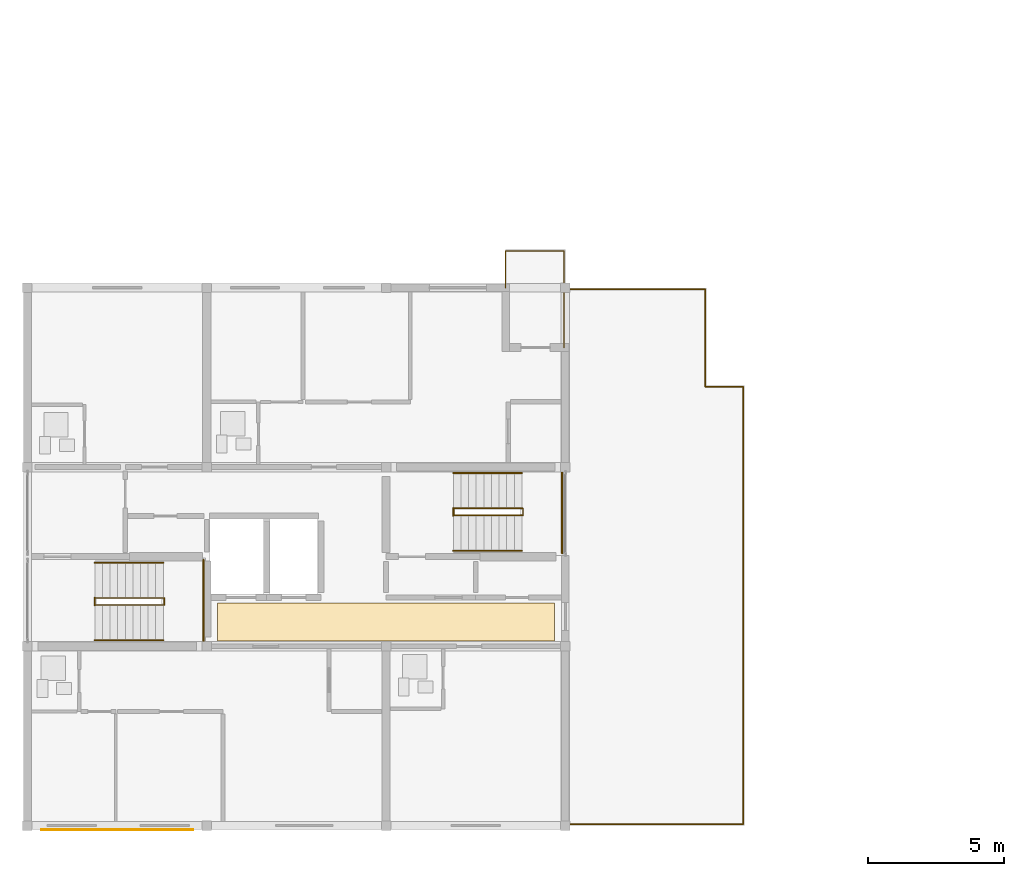
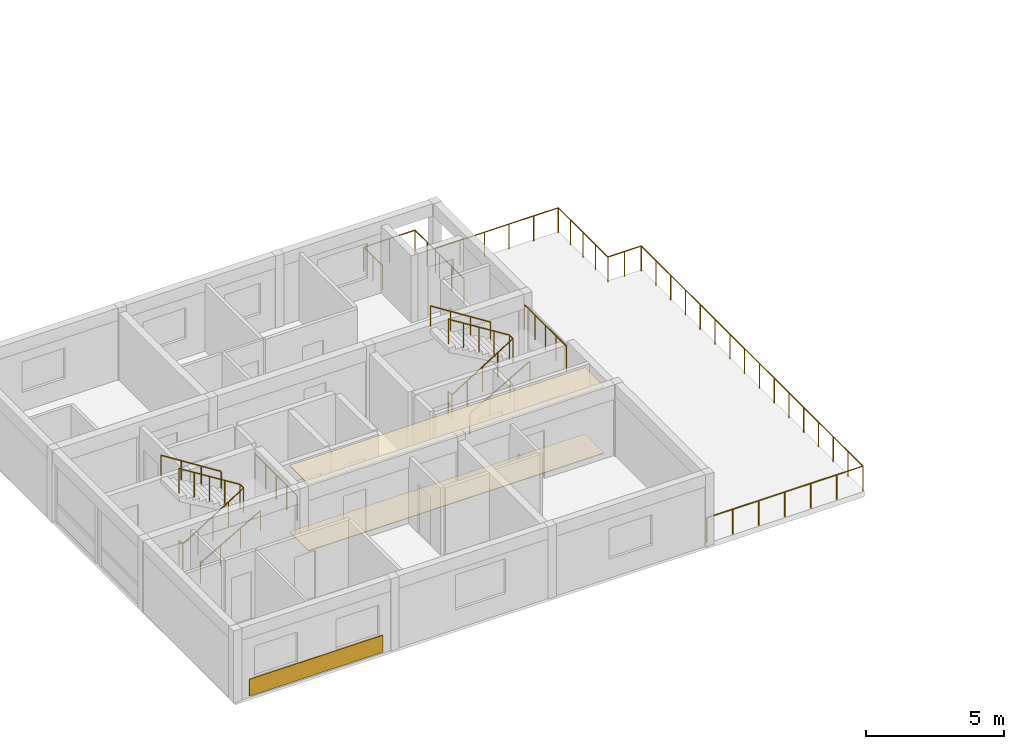
# One storey, part 40 of 46: 12 railings, 3 coverings.
"""IFC4 building model written with IfcOpenShell, lengths in metres."""

from ifc_helpers import new_model, si_unit, direction, frame, origin, origin_2d, place, context, subcontext, project, spatial, polyline, rectangle, circle, outline, extrude, material, layer, layer_set, type_object, element, save


model = new_model("IFC4")

# Units and contexts
model_context = context("Model", 3, precision=1e-05, world=origin(), true_north=direction((0.0, 1.0)))
body_context = subcontext(model_context, "Body", "Model", "MODEL_VIEW")
ifc_project = project(units=[si_unit("LENGTHUNIT", "METRE"), si_unit("AREAUNIT", "SQUARE_METRE"), si_unit("VOLUMEUNIT", "CUBIC_METRE"), si_unit("PLANEANGLEUNIT", "RADIAN"), si_unit("MASSUNIT", "GRAM", prefix="KILO")], contexts=[model_context])

# Site, building, storey
site_placement = place(None, origin())
site = spatial("IfcSite", under=ifc_project, at=site_placement, CompositionType="ELEMENT")
building_placement = place(site_placement, origin())
building = spatial("IfcBuilding", under=site, at=building_placement, Name="Kernevlak Ridge Housing Community", CompositionType="ELEMENT")
storey_placement = place(building_placement, frame((0.0, 0.0, 27.60009765625)))
storey = spatial("IfcBuildingStorey", under=building, at=storey_placement, Name="L08", CompositionType="ELEMENT", Elevation=27.60009765625)

# Railing
ifc_material_1 = material(Name="Steel S355", Category="steel")
railing_type_1 = type_object("IfcRailingType", Name="BL-01", PredefinedType="BALUSTRADE", material=ifc_material_1)
railing_1_placement = place(storey_placement, frame((33.199951171875, 35.39990234375, 0.0)))
element("IfcRailing", 1, at=railing_1_placement, inside=storey, type_object=railing_type_1, Name="Block D L08 balcony balustrade BL-01 54", PredefinedType="BALUSTRADE", context=body_context, shape_type="SweptSolid", body=[
    extrude(circle(Radius=0.02392578125, at=origin_2d()), frame((0.0, 0.0, 1.076171875), z_axis=(0.0, 1.0, 0.0), x_axis=(-1.0, 0.0, 0.0)), (0.0, 0.0, 1.0), 1.35009765625),
    extrude(circle(Radius=0.02392578125, at=origin_2d()), frame((0.0, 1.35009765625, 1.076171875), z_axis=(1.0, 0.0, 0.0), x_axis=(0.0, 1.0, 0.0)), (0.0, 0.0, 1.0), 2.150146484375),
    extrude(circle(Radius=0.02392578125, at=origin_2d()), frame((2.150146484375, 1.35009765625, 1.076171875), z_axis=(0.0, -1.0, 0.0), x_axis=(1.0, 0.0, 0.0)), (0.0, 0.0, 1.0), 3.550048828125),
    extrude(circle(Radius=0.02099609375, at=origin_2d()), origin(), (0.0, 0.0, 1.0), 1.052001953125),
    extrude(circle(Radius=0.02099609375, at=origin_2d()), frame((0.0, 0.675048828125, 0.0)), (0.0, 0.0, 1.0), 1.052001953125),
    extrude(circle(Radius=0.02099609375, at=origin_2d()), frame((0.0, 1.35009765625, 0.0)), (0.0, 0.0, 1.0), 1.052001953125),
    extrude(circle(Radius=0.02099609375, at=origin_2d()), frame((1.0751953125, 1.35009765625, 0.0)), (0.0, 0.0, 1.0), 1.052001953125),
    extrude(circle(Radius=0.02099609375, at=origin_2d()), frame((2.150146484375, 1.35009765625, 0.0)), (0.0, 0.0, 1.0), 1.052001953125),
    extrude(circle(Radius=0.02099609375, at=origin_2d()), frame((2.150146484375, 0.462646484375, 0.0)), (0.0, 0.0, 1.0), 1.052001953125),
    extrude(circle(Radius=0.02099609375, at=origin_2d()), frame((2.150146484375, -0.4248046875, 0.0)), (0.0, 0.0, 1.0), 1.052001953125),
    extrude(circle(Radius=0.02099609375, at=origin_2d()), frame((2.150146484375, -1.3125, 0.0)), (0.0, 0.0, 1.0), 1.052001953125),
    extrude(circle(Radius=0.02099609375, at=origin_2d()), frame((2.150146484375, -2.199951171875, 0.0)), (0.0, 0.0, 1.0), 1.052001953125),
])

# Coverings
ifc_material_2 = material(Name="Acoustic perforated gypsum ceiling board")
ifc_layer_1 = layer(ifc_material_2, 0.02001953125, Name="Acoustic perforated gypsum ceiling board")
ifc_layer_set_1 = layer_set([ifc_layer_1], Name="Acoustic perforated gypsum ceiling board")
covering_type_1 = type_object("IfcCoveringType", Name="CV-01", PredefinedType="CEILING", material=ifc_layer_set_1)
covering_1_placement = place(storey_placement, frame((0.0, 0.0, 2.949951171875)))
element("IfcCovering", 2, at=covering_1_placement, inside=storey, type_object=covering_type_1, Name="Block D L08 lobby acoustic ceiling", PredefinedType="CEILING", context=body_context, shape_type="SweptSolid", body=[
    extrude(outline(polyline([(22.60009765625, 22.39990234375), (35.0, 22.39990234375), (35.0, 23.800048828125), (22.60009765625, 23.800048828125), (22.60009765625, 22.39990234375)])), origin(), (0.0, 0.0, 1.0), 0.02001953125),
])
ifc_material_3 = material(Name="Polished pale terrazzo tile flooring")
ifc_layer_2 = layer(ifc_material_3, 0.02490234375, Name="Polished pale terrazzo tile flooring")
ifc_layer_set_2 = layer_set([ifc_layer_2], Name="Polished pale terrazzo tile flooring")
covering_type_2 = type_object("IfcCoveringType", Name="CV-02", PredefinedType="FLOORING", material=ifc_layer_set_2)
covering_2_placement = place(storey_placement, origin())
element("IfcCovering", 3, at=covering_2_placement, inside=storey, type_object=covering_type_2, Name="Block D L08 lobby terrazzo flooring", PredefinedType="FLOORING", context=body_context, shape_type="SweptSolid", body=[
    extrude(outline(polyline([(22.60009765625, 22.39990234375), (35.0, 22.39990234375), (35.0, 23.800048828125), (22.60009765625, 23.800048828125), (22.60009765625, 22.39990234375)])), origin(), (0.0, 0.0, 1.0), 0.02490234375),
])
ifc_material_4 = material(Name="Aluminium EN AW-5005 enamelled cladding", Category="aluminium")
ifc_layer_3 = layer(ifc_material_4, 0.030029296875, Name="Aluminium EN AW-5005 enamelled cladding")
ifc_layer_set_3 = layer_set([ifc_layer_3], Name="Aluminium EN AW-5005 enamelled cladding")
covering_type_3 = type_object("IfcCoveringType", Name="CV-04", PredefinedType="CLADDING", material=ifc_layer_set_3)
covering_3_placement = place(storey_placement, frame((18.89990234375, 15.445068359375, 0.074951171875), z_axis=(0.0, 0.0, 1.0), x_axis=(1.0, 0.0, 0.0)))
element("IfcCovering", 4, at=covering_3_placement, inside=storey, type_object=covering_type_3, Name="Block D L08 De Stijl blue spandrel cladding", PredefinedType="CLADDING", context=body_context, shape_type="SweptSolid", body=[
    extrude(rectangle(XDim=5.60009765625, YDim=0.030029296875, at=origin_2d()), origin(), (0.0, 0.0, 1.0), 0.75),
])

# Railings
railing_type_2 = type_object("IfcRailingType", Name="GR-01", PredefinedType="GUARDRAIL", material=ifc_material_1)
railing_2_placement = place(storey_placement, frame((35.39990234375, 15.64990234375, 0.0)))
element("IfcRailing", 5, at=railing_2_placement, inside=storey, type_object=railing_type_2, Name="Block D L08 setback terrace guard GR-01 55", PredefinedType="GUARDRAIL", context=body_context, shape_type="SweptSolid", body=[
    extrude(circle(Radius=0.02392578125, at=origin_2d()), frame((0.0, 0.0, 1.09619140625), z_axis=(1.0, 0.0, 0.0), x_axis=(0.0, 1.0, 0.0)), (0.0, 0.0, 1.0), 6.550048828125),
    extrude(circle(Radius=0.02392578125, at=origin_2d()), frame((6.550048828125, 0.0, 1.09619140625), z_axis=(0.0, 1.0, 0.0), x_axis=(-1.0, 0.0, 0.0)), (0.0, 0.0, 1.0), 16.10009765625),
    extrude(circle(Radius=0.02392578125, at=origin_2d()), frame((6.550048828125, 16.10009765625, 1.09619140625), z_axis=(-1.0, 0.0, 0.0), x_axis=(0.0, -1.0, 0.0)), (0.0, 0.0, 1.0), 1.39990234375),
    extrude(circle(Radius=0.02392578125, at=origin_2d()), frame((5.150146484375, 16.10009765625, 1.09619140625), z_axis=(0.0, 1.0, 0.0), x_axis=(-1.0, 0.0, 0.0)), (0.0, 0.0, 1.0), 3.60009765625),
    extrude(circle(Radius=0.02392578125, at=origin_2d()), frame((5.150146484375, 19.7001953125, 1.09619140625), z_axis=(-1.0, 0.0, 0.0), x_axis=(0.0, -1.0, 0.0)), (0.0, 0.0, 1.0), 5.150146484375),
    extrude(circle(Radius=0.02099609375, at=origin_2d()), origin(), (0.0, 0.0, 1.0), 1.072021484375),
    extrude(circle(Radius=0.02099609375, at=origin_2d()), frame((1.091796875, 0.0, 0.0)), (0.0, 0.0, 1.0), 1.072021484375),
    extrude(circle(Radius=0.02099609375, at=origin_2d()), frame((2.183349609375, 0.0, 0.0)), (0.0, 0.0, 1.0), 1.072021484375),
    extrude(circle(Radius=0.02099609375, at=origin_2d()), frame((3.27490234375, 0.0, 0.0)), (0.0, 0.0, 1.0), 1.072021484375),
    extrude(circle(Radius=0.02099609375, at=origin_2d()), frame((4.36669921875, 0.0, 0.0)), (0.0, 0.0, 1.0), 1.072021484375),
    extrude(circle(Radius=0.02099609375, at=origin_2d()), frame((5.45849609375, 0.0, 0.0)), (0.0, 0.0, 1.0), 1.072021484375),
    extrude(circle(Radius=0.02099609375, at=origin_2d()), frame((6.550048828125, 0.0, 0.0)), (0.0, 0.0, 1.0), 1.072021484375),
    extrude(circle(Radius=0.02099609375, at=origin_2d()), frame((6.550048828125, 1.0732421875, 0.0)), (0.0, 0.0, 1.0), 1.072021484375),
    extrude(circle(Radius=0.02099609375, at=origin_2d()), frame((6.550048828125, 2.146728515625, 0.0)), (0.0, 0.0, 1.0), 1.072021484375),
    extrude(circle(Radius=0.02099609375, at=origin_2d()), frame((6.550048828125, 3.219970703125, 0.0)), (0.0, 0.0, 1.0), 1.072021484375),
    extrude(circle(Radius=0.02099609375, at=origin_2d()), frame((6.550048828125, 4.29345703125, 0.0)), (0.0, 0.0, 1.0), 1.072021484375),
    extrude(circle(Radius=0.02099609375, at=origin_2d()), frame((6.550048828125, 5.36669921875, 0.0)), (0.0, 0.0, 1.0), 1.072021484375),
    extrude(circle(Radius=0.02099609375, at=origin_2d()), frame((6.550048828125, 6.43994140625, 0.0)), (0.0, 0.0, 1.0), 1.072021484375),
    extrude(circle(Radius=0.02099609375, at=origin_2d()), frame((6.550048828125, 7.513427734375, 0.0)), (0.0, 0.0, 1.0), 1.072021484375),
    extrude(circle(Radius=0.02099609375, at=origin_2d()), frame((6.550048828125, 8.586669921875, 0.0)), (0.0, 0.0, 1.0), 1.072021484375),
    extrude(circle(Radius=0.02099609375, at=origin_2d()), frame((6.550048828125, 9.66015625, 0.0)), (0.0, 0.0, 1.0), 1.072021484375),
    extrude(circle(Radius=0.02099609375, at=origin_2d()), frame((6.550048828125, 10.7333984375, 0.0)), (0.0, 0.0, 1.0), 1.072021484375),
    extrude(circle(Radius=0.02099609375, at=origin_2d()), frame((6.550048828125, 11.806640625, 0.0)), (0.0, 0.0, 1.0), 1.072021484375),
    extrude(circle(Radius=0.02099609375, at=origin_2d()), frame((6.550048828125, 12.880126953125, 0.0)), (0.0, 0.0, 1.0), 1.072021484375),
    extrude(circle(Radius=0.02099609375, at=origin_2d()), frame((6.550048828125, 13.953369140625, 0.0)), (0.0, 0.0, 1.0), 1.072021484375),
    extrude(circle(Radius=0.02099609375, at=origin_2d()), frame((6.550048828125, 15.02685546875, 0.0)), (0.0, 0.0, 1.0), 1.072021484375),
    extrude(circle(Radius=0.02099609375, at=origin_2d()), frame((6.550048828125, 16.10009765625, 0.0)), (0.0, 0.0, 1.0), 1.072021484375),
    extrude(circle(Radius=0.02099609375, at=origin_2d()), frame((5.85009765625, 16.10009765625, 0.0)), (0.0, 0.0, 1.0), 1.072021484375),
    extrude(circle(Radius=0.02099609375, at=origin_2d()), frame((5.150146484375, 16.10009765625, 0.0)), (0.0, 0.0, 1.0), 1.072021484375),
    extrude(circle(Radius=0.02099609375, at=origin_2d()), frame((5.150146484375, 17.0, 0.0)), (0.0, 0.0, 1.0), 1.072021484375),
    extrude(circle(Radius=0.02099609375, at=origin_2d()), frame((5.150146484375, 17.900146484375, 0.0)), (0.0, 0.0, 1.0), 1.072021484375),
    extrude(circle(Radius=0.02099609375, at=origin_2d()), frame((5.150146484375, 18.80029296875, 0.0)), (0.0, 0.0, 1.0), 1.072021484375),
    extrude(circle(Radius=0.02099609375, at=origin_2d()), frame((5.150146484375, 19.7001953125, 0.0)), (0.0, 0.0, 1.0), 1.072021484375),
    extrude(circle(Radius=0.02099609375, at=origin_2d()), frame((4.1201171875, 19.7001953125, 0.0)), (0.0, 0.0, 1.0), 1.072021484375),
    extrude(circle(Radius=0.02099609375, at=origin_2d()), frame((3.090087890625, 19.7001953125, 0.0)), (0.0, 0.0, 1.0), 1.072021484375),
    extrude(circle(Radius=0.02099609375, at=origin_2d()), frame((2.06005859375, 19.7001953125, 0.0)), (0.0, 0.0, 1.0), 1.072021484375),
    extrude(circle(Radius=0.02099609375, at=origin_2d()), frame((1.030029296875, 19.7001953125, 0.0)), (0.0, 0.0, 1.0), 1.072021484375),
    extrude(circle(Radius=0.02099609375, at=origin_2d()), frame((0.0, 19.7001953125, 0.0)), (0.0, 0.0, 1.0), 1.072021484375),
])
railing_type_3 = type_object("IfcRailingType", Name="GR-02", PredefinedType="GUARDRAIL", material=ifc_material_1)
railing_3_placement = place(storey_placement, frame((18.080078125, 23.7099609375, 0.0)))
element("IfcRailing", 6, at=railing_3_placement, inside=storey, type_object=railing_type_3, Name="Stair ST-D1 L08 well slot guard", PredefinedType="GUARDRAIL", context=body_context, shape_type="SweptSolid", body=[
    extrude(circle(Radius=0.02392578125, at=origin_2d()), frame((0.0, 0.0, 1.09619140625), z_axis=(0.0, 1.0, 0.0), x_axis=(-1.0, 0.0, 0.0)), (0.0, 0.0, 1.0), 0.280029296875),
    extrude(circle(Radius=0.02099609375, at=origin_2d()), origin(), (0.0, 0.0, 1.0), 1.072021484375),
    extrude(circle(Radius=0.02099609375, at=origin_2d()), frame((0.0, 0.280029296875, 0.0)), (0.0, 0.0, 1.0), 1.072021484375),
])
railing_4_placement = place(storey_placement, frame((18.080078125, 23.719970703125, 0.0)))
element("IfcRailing", 7, at=railing_4_placement, inside=storey, type_object=railing_type_3, Name="Stair ST-D1 L08 inner well guardrail", PredefinedType="GUARDRAIL", context=body_context, shape_type="SweptSolid", body=[
    extrude(circle(Radius=0.02392578125, at=origin_2d()), frame((0.0, 0.0, 1.09619140625), z_axis=(0.848002847666, 0.0, 0.529991670077), x_axis=(0.0, 1.0, 0.0)), (0.0, 0.0, 1.0), 3.0185546875),
    extrude(circle(Radius=0.02392578125, at=origin_2d()), frame((2.559814453125, 0.0, 2.69580078125), z_axis=(0.0, 1.0, 0.0), x_axis=(-1.0, 0.0, 0.0)), (0.0, 0.0, 1.0), 0.260009765625),
    extrude(circle(Radius=0.02392578125, at=origin_2d()), frame((2.559814453125, 0.260009765625, 2.69580078125), z_axis=(-0.847966497998, 0.0, 0.530049826217), x_axis=(0.0, -1.0, 0.0)), (0.0, 0.0, 1.0), 3.018798828125),
    extrude(circle(Radius=0.02099609375, at=origin_2d()), origin(), (0.0, 0.0, 1.0), 1.072021484375),
    extrude(circle(Radius=0.02099609375, at=origin_2d()), frame((0.639892578125, 0.0, 0.39990234375)), (0.0, 0.0, 1.0), 1.072021484375),
    extrude(circle(Radius=0.02099609375, at=origin_2d()), frame((1.27978515625, 0.0, 0.7998046875)), (0.0, 0.0, 1.0), 1.072021484375),
    extrude(circle(Radius=0.02099609375, at=origin_2d()), frame((1.919921875, 0.0, 1.199951171875)), (0.0, 0.0, 1.0), 1.072021484375),
    extrude(circle(Radius=0.02099609375, at=origin_2d()), frame((2.559814453125, 0.0, 1.599853515625)), (0.0, 0.0, 1.0), 1.072021484375),
    extrude(circle(Radius=0.02099609375, at=origin_2d()), frame((2.559814453125, 0.260009765625, 1.599853515625)), (0.0, 0.0, 1.0), 1.072021484375),
    extrude(circle(Radius=0.02099609375, at=origin_2d()), frame((1.919921875, 0.260009765625, 2.0)), (0.0, 0.0, 1.0), 1.072021484375),
    extrude(circle(Radius=0.02099609375, at=origin_2d()), frame((1.27978515625, 0.260009765625, 2.39990234375)), (0.0, 0.0, 1.0), 1.072021484375),
    extrude(circle(Radius=0.02099609375, at=origin_2d()), frame((0.639892578125, 0.260009765625, 2.7998046875)), (0.0, 0.0, 1.0), 1.072021484375),
    extrude(circle(Radius=0.02099609375, at=origin_2d()), frame((0.0, 0.260009765625, 3.199951171875)), (0.0, 0.0, 1.0), 1.072021484375),
])
railing_5_placement = place(storey_placement, frame((22.080078125, 22.320068359375, 1.599853515625)))
element("IfcRailing", 8, at=railing_5_placement, inside=storey, type_object=railing_type_3, Name="Stair ST-D1 L08 half-landing guard", PredefinedType="GUARDRAIL", context=body_context, shape_type="SweptSolid", body=[
    extrude(circle(Radius=0.02392578125, at=origin_2d()), frame((0.0, 0.0, 1.09619140625), z_axis=(0.0, 1.0, 0.0), x_axis=(-1.0, 0.0, 0.0)), (0.0, 0.0, 1.0), 3.059814453125),
    extrude(circle(Radius=0.02099609375, at=origin_2d()), origin(), (0.0, 0.0, 1.0), 1.072021484375),
    extrude(circle(Radius=0.02099609375, at=origin_2d()), frame((0.0, 0.764892578125, 0.0)), (0.0, 0.0, 1.0), 1.072021484375),
    extrude(circle(Radius=0.02099609375, at=origin_2d()), frame((0.0, 1.52978515625, 0.0)), (0.0, 0.0, 1.0), 1.072021484375),
    extrude(circle(Radius=0.02099609375, at=origin_2d()), frame((0.0, 2.294921875, 0.0)), (0.0, 0.0, 1.0), 1.072021484375),
    extrude(circle(Radius=0.02099609375, at=origin_2d()), frame((0.0, 3.059814453125, 0.0)), (0.0, 0.0, 1.0), 1.072021484375),
])
railing_6_placement = place(storey_placement, frame((31.280029296875, 27.010009765625, 0.0)))
element("IfcRailing", 9, at=railing_6_placement, inside=storey, type_object=railing_type_3, Name="Stair ST-D2 L08 well slot guard", PredefinedType="GUARDRAIL", context=body_context, shape_type="SweptSolid", body=[
    extrude(circle(Radius=0.02392578125, at=origin_2d()), frame((0.0, 0.0, 1.09619140625), z_axis=(0.0, 1.0, 0.0), x_axis=(-1.0, 0.0, 0.0)), (0.0, 0.0, 1.0), 0.280029296875),
    extrude(circle(Radius=0.02099609375, at=origin_2d()), origin(), (0.0, 0.0, 1.0), 1.072021484375),
    extrude(circle(Radius=0.02099609375, at=origin_2d()), frame((0.0, 0.280029296875, 0.0)), (0.0, 0.0, 1.0), 1.072021484375),
])
railing_7_placement = place(storey_placement, frame((31.280029296875, 27.02001953125, 0.0)))
element("IfcRailing", 10, at=railing_7_placement, inside=storey, type_object=railing_type_3, Name="Stair ST-D2 L08 inner well guardrail", PredefinedType="GUARDRAIL", context=body_context, shape_type="SweptSolid", body=[
    extrude(circle(Radius=0.02392578125, at=origin_2d()), frame((0.0, 0.0, 1.09619140625), z_axis=(0.848025563165, 0.0, 0.529955322851), x_axis=(0.0, 1.0, 0.0)), (0.0, 0.0, 1.0), 3.018798828125),
    extrude(circle(Radius=0.02392578125, at=origin_2d()), frame((2.56005859375, 0.0, 2.69580078125), z_axis=(0.0, 1.0, 0.0), x_axis=(-1.0, 0.0, 0.0)), (0.0, 0.0, 1.0), 0.260009765625),
    extrude(circle(Radius=0.02392578125, at=origin_2d()), frame((2.56005859375, 0.260009765625, 2.69580078125), z_axis=(-0.847989217509, 0.0, 0.530013478119), x_axis=(0.0, -1.0, 0.0)), (0.0, 0.0, 1.0), 3.01904296875),
    extrude(circle(Radius=0.02099609375, at=origin_2d()), origin(), (0.0, 0.0, 1.0), 1.072021484375),
    extrude(circle(Radius=0.02099609375, at=origin_2d()), frame((0.64013671875, 0.0, 0.39990234375)), (0.0, 0.0, 1.0), 1.072021484375),
    extrude(circle(Radius=0.02099609375, at=origin_2d()), frame((1.280029296875, 0.0, 0.7998046875)), (0.0, 0.0, 1.0), 1.072021484375),
    extrude(circle(Radius=0.02099609375, at=origin_2d()), frame((1.919921875, 0.0, 1.199951171875)), (0.0, 0.0, 1.0), 1.072021484375),
    extrude(circle(Radius=0.02099609375, at=origin_2d()), frame((2.56005859375, 0.0, 1.599853515625)), (0.0, 0.0, 1.0), 1.072021484375),
    extrude(circle(Radius=0.02099609375, at=origin_2d()), frame((2.56005859375, 0.260009765625, 1.599853515625)), (0.0, 0.0, 1.0), 1.072021484375),
    extrude(circle(Radius=0.02099609375, at=origin_2d()), frame((1.919921875, 0.260009765625, 2.0)), (0.0, 0.0, 1.0), 1.072021484375),
    extrude(circle(Radius=0.02099609375, at=origin_2d()), frame((1.280029296875, 0.260009765625, 2.39990234375)), (0.0, 0.0, 1.0), 1.072021484375),
    extrude(circle(Radius=0.02099609375, at=origin_2d()), frame((0.64013671875, 0.260009765625, 2.7998046875)), (0.0, 0.0, 1.0), 1.072021484375),
    extrude(circle(Radius=0.02099609375, at=origin_2d()), frame((0.0, 0.260009765625, 3.199951171875)), (0.0, 0.0, 1.0), 1.072021484375),
])
railing_8_placement = place(storey_placement, frame((35.280029296875, 25.6201171875, 1.599853515625)))
element("IfcRailing", 11, at=railing_8_placement, inside=storey, type_object=railing_type_3, Name="Stair ST-D2 L08 half-landing guard", PredefinedType="GUARDRAIL", context=body_context, shape_type="SweptSolid", body=[
    extrude(circle(Radius=0.02392578125, at=origin_2d()), frame((0.0, 0.0, 1.09619140625), z_axis=(0.0, 1.0, 0.0), x_axis=(-1.0, 0.0, 0.0)), (0.0, 0.0, 1.0), 3.059814453125),
    extrude(circle(Radius=0.02099609375, at=origin_2d()), origin(), (0.0, 0.0, 1.0), 1.072021484375),
    extrude(circle(Radius=0.02099609375, at=origin_2d()), frame((0.0, 0.764892578125, 0.0)), (0.0, 0.0, 1.0), 1.072021484375),
    extrude(circle(Radius=0.02099609375, at=origin_2d()), frame((0.0, 1.52978515625, 0.0)), (0.0, 0.0, 1.0), 1.072021484375),
    extrude(circle(Radius=0.02099609375, at=origin_2d()), frame((0.0, 2.294921875, 0.0)), (0.0, 0.0, 1.0), 1.072021484375),
    extrude(circle(Radius=0.02099609375, at=origin_2d()), frame((0.0, 3.059814453125, 0.0)), (0.0, 0.0, 1.0), 1.072021484375),
])
ifc_material_5 = material(Name="Stainless steel EN 1.4401", Category="steel")
railing_type_4 = type_object("IfcRailingType", Name="HR-01", PredefinedType="HANDRAIL", material=ifc_material_5)
railing_9_placement = place(storey_placement, frame((18.080078125, 22.419921875, 0.159912109375)))
element("IfcRailing", 12, at=railing_9_placement, inside=storey, type_object=railing_type_4, Name="Stair ST-D1 L08 flight 1 handrail", PredefinedType="HANDRAIL", context=body_context, shape_type="SweptSolid", body=[
    extrude(circle(Radius=0.02392578125, at=origin_2d()), frame((0.0, 0.0, 0.89599609375), z_axis=(0.868253494771, 0.0, 0.496120820787), x_axis=(0.0, 1.0, 0.0)), (0.0, 0.0, 1.0), 2.90234375),
    extrude(circle(Radius=0.02099609375, at=origin_2d()), origin(), (0.0, 0.0, 1.0), 0.871826171875),
    extrude(circle(Radius=0.02099609375, at=origin_2d()), frame((0.840087890625, 0.0, 0.47998046875)), (0.0, 0.0, 1.0), 0.871826171875),
    extrude(circle(Radius=0.02099609375, at=origin_2d()), frame((1.679931640625, 0.0, 0.9599609375)), (0.0, 0.0, 1.0), 0.871826171875),
    extrude(circle(Radius=0.02099609375, at=origin_2d()), frame((2.52001953125, 0.0, 1.43994140625)), (0.0, 0.0, 1.0), 0.871826171875),
])
railing_10_placement = place(storey_placement, frame((20.60009765625, 25.280029296875, 1.599853515625)))
element("IfcRailing", 13, at=railing_10_placement, inside=storey, type_object=railing_type_4, Name="Stair ST-D1 L08 flight 2 handrail", PredefinedType="HANDRAIL", context=body_context, shape_type="SweptSolid", body=[
    extrude(circle(Radius=0.02392578125, at=origin_2d()), frame((0.0, 0.0, 0.89599609375), z_axis=(-0.844199891302, 0.0, 0.536028491338), x_axis=(0.0, -1.0, 0.0)), (0.0, 0.0, 1.0), 2.985107421875),
    extrude(circle(Radius=0.02099609375, at=origin_2d()), origin(), (0.0, 0.0, 1.0), 0.871826171875),
    extrude(circle(Radius=0.02099609375, at=origin_2d()), frame((-0.840087890625, 0.0, 0.533447265625)), (0.0, 0.0, 1.0), 0.871826171875),
    extrude(circle(Radius=0.02099609375, at=origin_2d()), frame((-1.679931640625, 0.0, 1.066650390625)), (0.0, 0.0, 1.0), 0.871826171875),
    extrude(circle(Radius=0.02099609375, at=origin_2d()), frame((-2.52001953125, 0.0, 1.60009765625)), (0.0, 0.0, 1.0), 0.871826171875),
])
railing_11_placement = place(storey_placement, frame((31.280029296875, 25.719970703125, 0.159912109375)))
element("IfcRailing", 14, at=railing_11_placement, inside=storey, type_object=railing_type_4, Name="Stair ST-D2 L08 flight 1 handrail", PredefinedType="HANDRAIL", context=body_context, shape_type="SweptSolid", body=[
    extrude(circle(Radius=0.02392578125, at=origin_2d()), frame((0.0, 0.0, 0.89599609375), z_axis=(0.868253494771, 0.0, 0.496120820787), x_axis=(0.0, 1.0, 0.0)), (0.0, 0.0, 1.0), 2.90234375),
    extrude(circle(Radius=0.02099609375, at=origin_2d()), origin(), (0.0, 0.0, 1.0), 0.871826171875),
    extrude(circle(Radius=0.02099609375, at=origin_2d()), frame((0.840087890625, 0.0, 0.47998046875)), (0.0, 0.0, 1.0), 0.871826171875),
    extrude(circle(Radius=0.02099609375, at=origin_2d()), frame((1.679931640625, 0.0, 0.9599609375)), (0.0, 0.0, 1.0), 0.871826171875),
    extrude(circle(Radius=0.02099609375, at=origin_2d()), frame((2.52001953125, 0.0, 1.43994140625)), (0.0, 0.0, 1.0), 0.871826171875),
])
railing_12_placement = place(storey_placement, frame((33.800048828125, 28.580078125, 1.599853515625)))
element("IfcRailing", 15, at=railing_12_placement, inside=storey, type_object=railing_type_4, Name="Stair ST-D2 L08 flight 2 handrail", PredefinedType="HANDRAIL", context=body_context, shape_type="SweptSolid", body=[
    extrude(circle(Radius=0.02392578125, at=origin_2d()), frame((0.0, 0.0, 0.89599609375), z_axis=(-0.844199891302, 0.0, 0.536028491338), x_axis=(0.0, -1.0, 0.0)), (0.0, 0.0, 1.0), 2.985107421875),
    extrude(circle(Radius=0.02099609375, at=origin_2d()), origin(), (0.0, 0.0, 1.0), 0.871826171875),
    extrude(circle(Radius=0.02099609375, at=origin_2d()), frame((-0.840087890625, 0.0, 0.533447265625)), (0.0, 0.0, 1.0), 0.871826171875),
    extrude(circle(Radius=0.02099609375, at=origin_2d()), frame((-1.679931640625, 0.0, 1.066650390625)), (0.0, 0.0, 1.0), 0.871826171875),
    extrude(circle(Radius=0.02099609375, at=origin_2d()), frame((-2.52001953125, 0.0, 1.60009765625)), (0.0, 0.0, 1.0), 0.871826171875),
])

save(model, "model.ifc")
